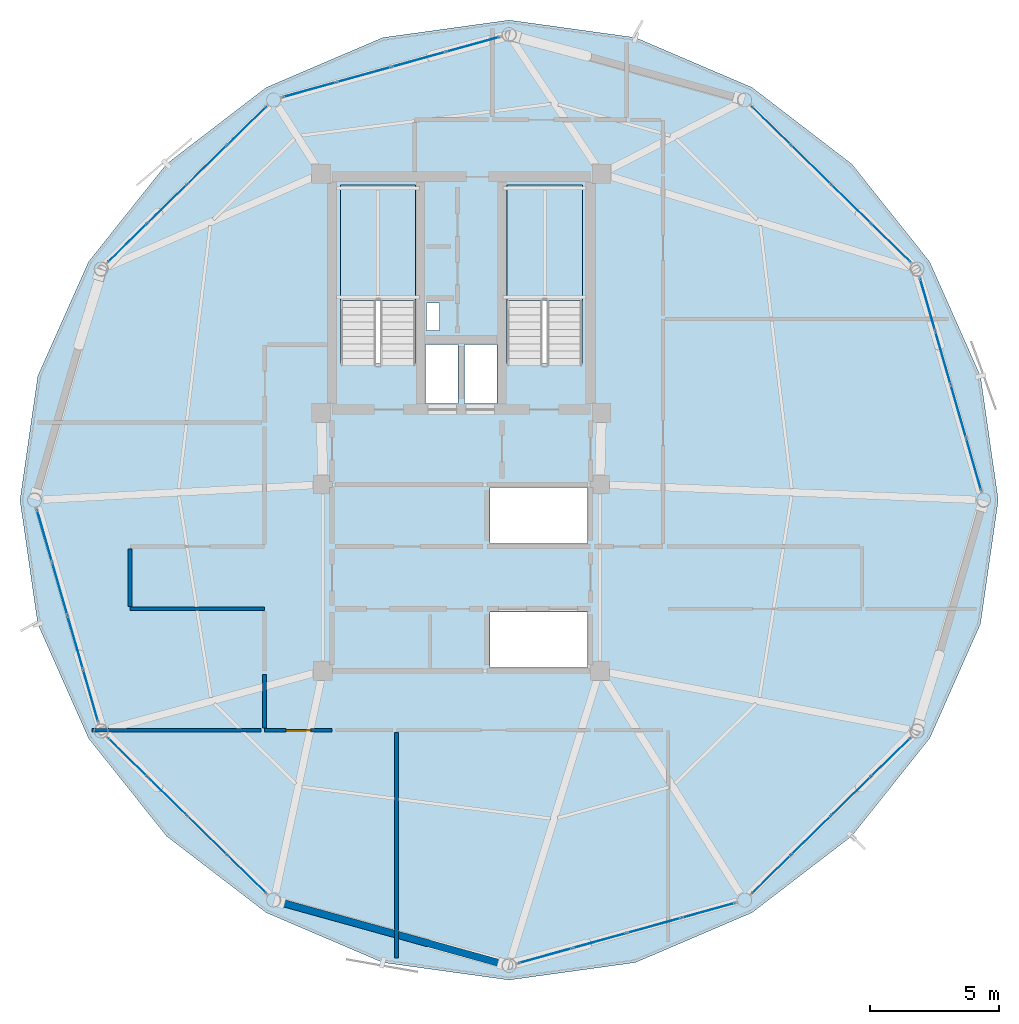
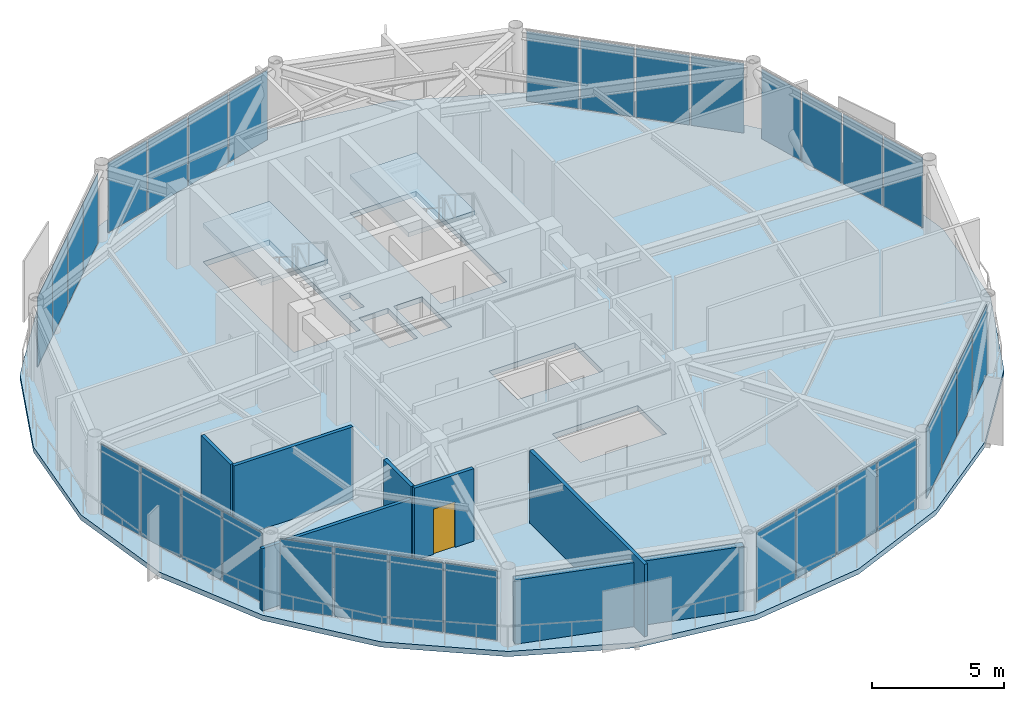
# One storey, part 20 of 26: 32 plates, 7 walls, 3 slabs, 1 door, 1 opening, 10 elements without a shape of their own.
"""IFC4 building model written with IfcOpenShell, lengths in metres."""

from ifc_helpers import new_model, si_unit, direction, frame, frame_2d, origin, origin_2d, place, context, subcontext, project, spatial, polyline, rectangle, outline, extrude, source, transform, mapped, material, layer, layer_set, type_object, type_shapes, element, fill, aggregate, save


model = new_model("IFC4")

# Units and contexts
model_context = context("Model", 3, precision=1e-05, world=origin(), true_north=direction((0.0, 1.0)))
body_context = subcontext(model_context, "Body", "Model", "MODEL_VIEW")
ifc_project = project(units=[si_unit("LENGTHUNIT", "METRE"), si_unit("AREAUNIT", "SQUARE_METRE"), si_unit("VOLUMEUNIT", "CUBIC_METRE"), si_unit("PLANEANGLEUNIT", "RADIAN"), si_unit("MASSUNIT", "GRAM", prefix="KILO")], contexts=[model_context])

# Site, building, storey
site_placement = place(None, origin())
site = spatial("IfcSite", under=ifc_project, at=site_placement, CompositionType="ELEMENT")
building_placement = place(site_placement, origin())
building = spatial("IfcBuilding", under=site, at=building_placement, Name="Varnakorn Sky Granary", CompositionType="ELEMENT")
storey_placement = place(building_placement, frame((0.0, 0.0, 256.199951171875)))
storey = spatial("IfcBuildingStorey", under=building, at=storey_placement, Name="L65", CompositionType="ELEMENT", Elevation=256.199951171875)

# Stair, slab
ifc_material_1 = material(Name="Concrete C40/50", Category="concrete")
stair_type = type_object("IfcStairType", Name="ST-MAIN-ASSEMBLY", PredefinedType="HALF_TURN_STAIR", material=ifc_material_1)
stair_1_placement = place(storey_placement, origin())
stair_1 = element("IfcStair", 1, at=stair_1_placement, inside=storey, type_object=stair_type, Name="L65 Protected Exit Stair ST-1", PredefinedType="HALF_TURN_STAIR")
ifc_layer_1 = layer(ifc_material_1, 0.199951171875, Name="Concrete C40/50")
ifc_layer_set_1 = layer_set([ifc_layer_1], Name="Concrete C40/50")
slab_type_1 = type_object("IfcSlabType", Name="ST-MAIN-LAND", PredefinedType="LANDING", material=ifc_layer_set_1)
slab_1_placement = place(storey_placement, frame((0.0, 0.0, 1.60009765625)))
slab_1 = element("IfcSlab", 2, at=slab_1_placement, type_object=slab_type_1, Name="ST-1 landing 1", PredefinedType="LANDING", context=body_context, shape_type="SweptSolid", body=[
    extrude(outline(polyline([(1.239990234375, 7.719970703125), (1.239990234375, 12.179931640625), (-1.669921875, 12.179931640625), (-1.669921875, 7.719970703125), (1.239990234375, 7.719970703125)])), origin(), (0.0, 0.0, 1.0), 0.199951171875),
])
aggregate(stair_1, [slab_1])

stair_2_placement = place(storey_placement, origin())
stair_2 = element("IfcStair", 3, at=stair_2_placement, inside=storey, type_object=stair_type, Name="L65 Protected Exit Stair ST-2", PredefinedType="HALF_TURN_STAIR")
slab_2_placement = place(storey_placement, frame((0.0, 0.0, 1.60009765625)))
slab_2 = element("IfcSlab", 4, at=slab_2_placement, type_object=slab_type_1, Name="ST-2 landing 1", PredefinedType="LANDING", context=body_context, shape_type="SweptSolid", body=[
    extrude(outline(polyline([(7.679931640625, 7.719970703125), (7.679931640625, 12.179931640625), (4.77001953125, 12.179931640625), (4.77001953125, 7.719970703125), (7.679931640625, 7.719970703125)])), origin(), (0.0, 0.0, 1.0), 0.199951171875),
])
aggregate(stair_2, [slab_2])

# Slab
ifc_material_2 = material(Name="Concrete C50/60", Category="concrete")
ifc_layer_2 = layer(ifc_material_2, 0.239990234375, Name="Concrete C50/60")
ifc_layer_set_2 = layer_set([ifc_layer_2], Name="Concrete C50/60")
slab_type_2 = type_object("IfcSlabType", Name="ST-SL-TWR-240", PredefinedType="FLOOR", material=ifc_layer_set_2)
slab_3_placement = place(storey_placement, frame((0.0, 0.0, -0.239990234375)))
element("IfcSlab", 5, at=slab_3_placement, inside=storey, type_object=slab_type_2, Name="Level L65 Structural Floor Slab", PredefinedType="FLOOR", context=body_context, shape_type="SweptSolid", body=[
    extrude(outline(polyline([(23.760009765625, 0.0), (23.072265625, 4.790771484375), (21.109619140625, 9.2099609375), (18.093994140625, 12.9931640625), (14.237548828125, 15.9521484375), (9.732666015625, 17.87939453125), (4.85009765625, 18.554931640625), (-0.03271484375, 17.87939453125), (-4.53759765625, 15.9521484375), (-8.39404296875, 12.9931640625), (-11.40966796875, 9.2099609375), (-13.372314453125, 4.790771484375), (-14.06005859375, 0.0), (-13.372314453125, -4.790771484375), (-11.40966796875, -9.2099609375), (-8.39404296875, -12.9931640625), (-4.53759765625, -15.9521484375), (-0.03271484375, -17.87939453125), (4.85009765625, -18.554931640625), (9.732666015625, -17.87939453125), (14.237548828125, -15.9521484375), (18.093994140625, -12.9931640625), (21.109619140625, -9.2099609375), (23.072265625, -4.790771484375), (23.760009765625, 0.0)]), holes=[polyline([(1.239990234375, 5.27490234375), (1.239990234375, 12.179931640625), (-1.669921875, 12.179931640625), (-1.669921875, 5.27490234375), (1.239990234375, 5.27490234375)]), polyline([(7.679931640625, 5.27490234375), (7.679931640625, 12.179931640625), (4.77001953125, 12.179931640625), (4.77001953125, 5.27490234375), (7.679931640625, 5.27490234375)]), polyline([(1.659912109375, 6.550048828125), (2.14990234375, 6.550048828125), (2.14990234375, 7.6201171875), (1.659912109375, 7.6201171875), (1.659912109375, 6.550048828125)]), polyline([(1.6201171875, 3.739990234375), (2.8798828125, 3.739990234375), (2.8798828125, 6.010009765625), (1.6201171875, 6.010009765625), (1.6201171875, 3.739990234375)]), polyline([(3.1201171875, 3.739990234375), (4.3798828125, 3.739990234375), (4.3798828125, 6.010009765625), (3.1201171875, 6.010009765625), (3.1201171875, 3.739990234375)]), polyline([(4.1201171875, -1.679931640625), (7.8798828125, -1.679931640625), (7.8798828125, 0.47998046875), (4.1201171875, 0.47998046875), (4.1201171875, -1.679931640625)]), polyline([(4.1201171875, -6.47998046875), (7.8798828125, -6.47998046875), (7.8798828125, -4.320068359375), (4.1201171875, -4.320068359375), (4.1201171875, -6.47998046875)])]), origin(), (0.0, 0.0, 1.0), 0.239990234375),
])

# Curtain wall, plates
ifc_material_3 = material(Name="Anodised Bronze Aluminium Alloy 6063-T6", Category="aluminium")
ifc_layer_3 = layer(ifc_material_3, 0.159912109375, Name="Anodised Bronze Aluminium Alloy 6063-T6")
ifc_layer_set_3 = layer_set([ifc_layer_3], Name="Anodised Bronze Aluminium Alloy 6063-T6")
curtain_wall_type = type_object("IfcCurtainWallType", Name="CW-OFF-1", PredefinedType="USERDEFINED", material=ifc_layer_set_3)
curtain_wall_1_placement = place(storey_placement, origin())
curtain_wall_1 = element("IfcCurtainWall", 6, at=curtain_wall_1_placement, inside=storey, type_object=curtain_wall_type, Name="Unitised Curtain Wall CW6 CW-L65-B01", ObjectType="CURTAIN WALL", PredefinedType="USERDEFINED")
ifc_material_4 = material(Name="Opaque Insulated Aluminium Shadow-Box Unit", Category="aluminium")
ifc_layer_4 = layer(ifc_material_4, 0.02392578125, Name="Opaque Insulated Aluminium Shadow-Box Unit")
ifc_layer_set_4 = layer_set([ifc_layer_4], Name="Opaque Insulated Aluminium Shadow-Box Unit")
plate_type = type_object("IfcPlateType", Name="CW-OFF-1-PNL", PredefinedType="CURTAIN_PANEL")
shared_shape_1 = source(origin(), body_context, "Body", "SweptSolid", [
    extrude(rectangle(XDim=2.0576171875, YDim=0.02392578125, at=origin_2d()), origin(), (0.0, 0.0, 1.0), 3.22998046875),
])
plate_1_placement = place(storey_placement, frame((21.030517578125, 7.557861328125, 0.06494140625), z_axis=(0.0, 0.0, 1.0), x_axis=(0.277084447334, -0.960845569821, 0.0)))
plate_1 = element("IfcPlate", 7, at=plate_1_placement, type_object=plate_type, material=ifc_layer_set_4, Name="CW6 opaque insulated shadow-box unit 1.1", PredefinedType="CURTAIN_PANEL", context=body_context, shape_type="MappedRepresentation", body=[
    mapped(shared_shape_1, transform((0.0, 0.0, 0.0), x_axis=(1.0, 0.0, 0.0), y_axis=(0.0, 1.0, 0.0), z_axis=(0.0, 0.0, 1.0), scale=1.0)),
])
ifc_material_5 = material(Name="Low-E Tinted Laminated Glass", Category="glass")
ifc_layer_5 = layer(ifc_material_5, 0.02392578125, Name="Low-E Tinted Laminated Glass")
ifc_layer_set_5 = layer_set([ifc_layer_5], Name="Low-E Tinted Laminated Glass")
plate_2_placement = place(storey_placement, frame((22.812744140625, 1.377197265625, 0.06494140625), z_axis=(0.0, 0.0, 1.0), x_axis=(0.277084447334, -0.960845569821, 0.0)))
plate_2 = element("IfcPlate", 8, at=plate_2_placement, type_object=plate_type, material=ifc_layer_set_5, Name="CW6 vision glazing unit 4.1", PredefinedType="CURTAIN_PANEL", context=body_context, shape_type="MappedRepresentation", body=[
    mapped(shared_shape_1, transform((0.0, 0.0, 0.0), x_axis=(1.0, 0.0, 0.0), y_axis=(0.0, 1.0, 0.0), z_axis=(0.0, 0.0, 1.0), scale=1.0)),
])

curtain_wall_2_placement = place(storey_placement, origin())
curtain_wall_2 = element("IfcCurtainWall", 9, at=curtain_wall_2_placement, inside=storey, type_object=curtain_wall_type, Name="Unitised Curtain Wall CW6 CW-L65-B07", ObjectType="CURTAIN WALL", PredefinedType="USERDEFINED")
plate_3_placement = place(storey_placement, frame((-11.33056640625, -7.557861328125, 0.06494140625), z_axis=(0.0, 0.0, 1.0), x_axis=(-0.277084447334, 0.960845569821, 0.0)))
plate_3 = element("IfcPlate", 10, at=plate_3_placement, type_object=plate_type, material=ifc_layer_set_4, Name="CW6 opaque insulated shadow-box unit 1.1", PredefinedType="CURTAIN_PANEL", context=body_context, shape_type="MappedRepresentation", body=[
    mapped(shared_shape_1, transform((0.0, 0.0, 0.0), x_axis=(1.0, 0.0, 0.0), y_axis=(0.0, 1.0, 0.0), z_axis=(0.0, 0.0, 1.0), scale=1.0)),
])
plate_4_placement = place(storey_placement, frame((-13.11279296875, -1.377197265625, 0.06494140625), z_axis=(0.0, 0.0, 1.0), x_axis=(-0.277084447334, 0.960845569821, 0.0)))
plate_4 = element("IfcPlate", 11, at=plate_4_placement, type_object=plate_type, material=ifc_layer_set_5, Name="CW6 vision glazing unit 4.1", PredefinedType="CURTAIN_PANEL", context=body_context, shape_type="MappedRepresentation", body=[
    mapped(shared_shape_1, transform((0.0, 0.0, 0.0), x_axis=(1.0, 0.0, 0.0), y_axis=(0.0, 1.0, 0.0), z_axis=(0.0, 0.0, 1.0), scale=1.0)),
])

# Plate
shared_shape_2 = source(origin(), body_context, "Body", "SweptSolid", [
    extrude(rectangle(XDim=2.090087890625, YDim=0.02392578125, at=origin_2d()), origin(), (0.0, 0.0, 1.0), 3.22998046875),
])
plate_5_placement = place(storey_placement, frame((21.623046875, 5.5029296875, 0.06494140625), z_axis=(0.0, 0.0, 1.0), x_axis=(0.277084447334, -0.960845569821, 0.0)))
plate_5 = element("IfcPlate", 12, at=plate_5_placement, type_object=plate_type, material=ifc_layer_set_4, Name="CW6 opaque insulated shadow-box unit 2.1", PredefinedType="CURTAIN_PANEL", context=body_context, shape_type="MappedRepresentation", body=[
    mapped(shared_shape_2, transform((0.0, 0.0, 0.0), x_axis=(1.0, 0.0, 0.0), y_axis=(0.0, 1.0, 0.0), z_axis=(0.0, 0.0, 1.0), scale=1.0)),
])

plate_6_placement = place(storey_placement, frame((22.22021484375, 3.43212890625, 0.06494140625), z_axis=(0.0, 0.0, 1.0), x_axis=(0.277084447334, -0.960845569821, 0.0)))
plate_6 = element("IfcPlate", 13, at=plate_6_placement, type_object=plate_type, material=ifc_layer_set_5, Name="CW6 vision glazing unit 3.1", PredefinedType="CURTAIN_PANEL", context=body_context, shape_type="MappedRepresentation", body=[
    mapped(shared_shape_2, transform((0.0, 0.0, 0.0), x_axis=(1.0, 0.0, 0.0), y_axis=(0.0, 1.0, 0.0), z_axis=(0.0, 0.0, 1.0), scale=1.0)),
])

aggregate(curtain_wall_1, [plate_1, plate_5, plate_6, plate_2])

plate_7_placement = place(storey_placement, frame((-11.923095703125, -5.5029296875, 0.06494140625), z_axis=(0.0, 0.0, 1.0), x_axis=(-0.277084447334, 0.960845569821, 0.0)))
plate_7 = element("IfcPlate", 14, at=plate_7_placement, type_object=plate_type, material=ifc_layer_set_4, Name="CW6 opaque insulated shadow-box unit 2.1", PredefinedType="CURTAIN_PANEL", context=body_context, shape_type="MappedRepresentation", body=[
    mapped(shared_shape_2, transform((0.0, 0.0, 0.0), x_axis=(1.0, 0.0, 0.0), y_axis=(0.0, 1.0, 0.0), z_axis=(0.0, 0.0, 1.0), scale=1.0)),
])

plate_8_placement = place(storey_placement, frame((-12.520263671875, -3.43212890625, 0.06494140625), z_axis=(0.0, 0.0, 1.0), x_axis=(-0.277084447334, 0.960845569821, 0.0)))
plate_8 = element("IfcPlate", 15, at=plate_8_placement, type_object=plate_type, material=ifc_layer_set_5, Name="CW6 vision glazing unit 3.1", PredefinedType="CURTAIN_PANEL", context=body_context, shape_type="MappedRepresentation", body=[
    mapped(shared_shape_2, transform((0.0, 0.0, 0.0), x_axis=(1.0, 0.0, 0.0), y_axis=(0.0, 1.0, 0.0), z_axis=(0.0, 0.0, 1.0), scale=1.0)),
])

aggregate(curtain_wall_2, [plate_3, plate_7, plate_8, plate_4])

# Curtain wall, plates
curtain_wall_3_placement = place(storey_placement, origin())
curtain_wall_3 = element("IfcCurtainWall", 16, at=curtain_wall_3_placement, inside=storey, type_object=curtain_wall_type, Name="Unitised Curtain Wall CW6 CW-L65-B02", ObjectType="CURTAIN WALL", PredefinedType="USERDEFINED")
shared_shape_3 = source(origin(), body_context, "Body", "SweptSolid", [
    extrude(rectangle(XDim=2.068359375, YDim=0.02392578125, at=origin_2d()), origin(), (0.0, 0.0, 1.0), 3.22998046875),
])
plate_9_placement = place(storey_placement, frame((14.98974609375, 14.46875, 0.06494140625), z_axis=(0.0, 0.0, 1.0), x_axis=(0.71402701557, -0.700118147913, 0.0)))
plate_9 = element("IfcPlate", 17, at=plate_9_placement, type_object=plate_type, material=ifc_layer_set_5, Name="CW6 vision glazing unit 1.1", PredefinedType="CURTAIN_PANEL", context=body_context, shape_type="MappedRepresentation", body=[
    mapped(shared_shape_3, transform((0.0, 0.0, 0.0), x_axis=(1.0, 0.0, 0.0), y_axis=(0.0, 1.0, 0.0), z_axis=(0.0, 0.0, 1.0), scale=1.0)),
])
plate_10_placement = place(storey_placement, frame((19.60595703125, 9.9423828125, 0.06494140625), z_axis=(0.0, 0.0, 1.0), x_axis=(0.71402701557, -0.700118147913, 0.0)))
plate_10 = element("IfcPlate", 18, at=plate_10_placement, type_object=plate_type, material=ifc_layer_set_4, Name="CW6 opaque insulated shadow-box unit 4.1", PredefinedType="CURTAIN_PANEL", context=body_context, shape_type="MappedRepresentation", body=[
    mapped(shared_shape_3, transform((0.0, 0.0, 0.0), x_axis=(1.0, 0.0, 0.0), y_axis=(0.0, 1.0, 0.0), z_axis=(0.0, 0.0, 1.0), scale=1.0)),
])

curtain_wall_4_placement = place(storey_placement, origin())
curtain_wall_4 = element("IfcCurtainWall", 19, at=curtain_wall_4_placement, inside=storey, type_object=curtain_wall_type, Name="Unitised Curtain Wall CW6 CW-L65-B05", ObjectType="CURTAIN WALL", PredefinedType="USERDEFINED")
plate_11_placement = place(storey_placement, frame((-9.906005859375, 9.9423828125, 0.06494140625), z_axis=(0.0, 0.0, 1.0), x_axis=(0.71402701557, 0.700118147913, 0.0)))
plate_11 = element("IfcPlate", 20, at=plate_11_placement, type_object=plate_type, material=ifc_layer_set_4, Name="CW6 opaque insulated shadow-box unit 1.1", PredefinedType="CURTAIN_PANEL", context=body_context, shape_type="MappedRepresentation", body=[
    mapped(shared_shape_3, transform((0.0, 0.0, 0.0), x_axis=(1.0, 0.0, 0.0), y_axis=(0.0, 1.0, 0.0), z_axis=(0.0, 0.0, 1.0), scale=1.0)),
])
plate_12_placement = place(storey_placement, frame((-5.289794921875, 14.46875, 0.06494140625), z_axis=(0.0, 0.0, 1.0), x_axis=(0.71402701557, 0.700118147913, 0.0)))
plate_12 = element("IfcPlate", 21, at=plate_12_placement, type_object=plate_type, material=ifc_layer_set_5, Name="CW6 vision glazing unit 4.1", PredefinedType="CURTAIN_PANEL", context=body_context, shape_type="MappedRepresentation", body=[
    mapped(shared_shape_3, transform((0.0, 0.0, 0.0), x_axis=(1.0, 0.0, 0.0), y_axis=(0.0, 1.0, 0.0), z_axis=(0.0, 0.0, 1.0), scale=1.0)),
])

curtain_wall_5_placement = place(storey_placement, origin())
curtain_wall_5 = element("IfcCurtainWall", 22, at=curtain_wall_5_placement, inside=storey, type_object=curtain_wall_type, Name="Unitised Curtain Wall CW6 CW-L65-B08", ObjectType="CURTAIN WALL", PredefinedType="USERDEFINED")
plate_13_placement = place(storey_placement, frame((-5.289794921875, -14.46875, 0.06494140625), z_axis=(0.0, 0.0, 1.0), x_axis=(-0.71402701557, 0.700118147913, 0.0)))
plate_13 = element("IfcPlate", 23, at=plate_13_placement, type_object=plate_type, material=ifc_layer_set_5, Name="CW6 vision glazing unit 1.1", PredefinedType="CURTAIN_PANEL", context=body_context, shape_type="MappedRepresentation", body=[
    mapped(shared_shape_3, transform((0.0, 0.0, 0.0), x_axis=(1.0, 0.0, 0.0), y_axis=(0.0, 1.0, 0.0), z_axis=(0.0, 0.0, 1.0), scale=1.0)),
])
plate_14_placement = place(storey_placement, frame((-9.906005859375, -9.9423828125, 0.06494140625), z_axis=(0.0, 0.0, 1.0), x_axis=(-0.71402701557, 0.700118147913, 0.0)))
plate_14 = element("IfcPlate", 24, at=plate_14_placement, type_object=plate_type, material=ifc_layer_set_4, Name="CW6 opaque insulated shadow-box unit 4.1", PredefinedType="CURTAIN_PANEL", context=body_context, shape_type="MappedRepresentation", body=[
    mapped(shared_shape_3, transform((0.0, 0.0, 0.0), x_axis=(1.0, 0.0, 0.0), y_axis=(0.0, 1.0, 0.0), z_axis=(0.0, 0.0, 1.0), scale=1.0)),
])

curtain_wall_6_placement = place(storey_placement, origin())
curtain_wall_6 = element("IfcCurtainWall", 25, at=curtain_wall_6_placement, inside=storey, type_object=curtain_wall_type, Name="Unitised Curtain Wall CW6 CW-L65-B11", ObjectType="CURTAIN WALL", PredefinedType="USERDEFINED")
plate_15_placement = place(storey_placement, frame((19.60595703125, -9.9423828125, 0.06494140625), z_axis=(0.0, 0.0, 1.0), x_axis=(-0.71402701557, -0.700118147913, 0.0)))
plate_15 = element("IfcPlate", 26, at=plate_15_placement, type_object=plate_type, material=ifc_layer_set_4, Name="CW6 opaque insulated shadow-box unit 1.1", PredefinedType="CURTAIN_PANEL", context=body_context, shape_type="MappedRepresentation", body=[
    mapped(shared_shape_3, transform((0.0, 0.0, 0.0), x_axis=(1.0, 0.0, 0.0), y_axis=(0.0, 1.0, 0.0), z_axis=(0.0, 0.0, 1.0), scale=1.0)),
])
plate_16_placement = place(storey_placement, frame((14.98974609375, -14.46875, 0.06494140625), z_axis=(0.0, 0.0, 1.0), x_axis=(-0.71402701557, -0.700118147913, 0.0)))
plate_16 = element("IfcPlate", 27, at=plate_16_placement, type_object=plate_type, material=ifc_layer_set_5, Name="CW6 vision glazing unit 4.1", PredefinedType="CURTAIN_PANEL", context=body_context, shape_type="MappedRepresentation", body=[
    mapped(shared_shape_3, transform((0.0, 0.0, 0.0), x_axis=(1.0, 0.0, 0.0), y_axis=(0.0, 1.0, 0.0), z_axis=(0.0, 0.0, 1.0), scale=1.0)),
])

# Plate
shared_shape_4 = source(origin(), body_context, "Body", "SweptSolid", [
    extrude(rectangle(XDim=2.100830078125, YDim=0.02392578125, at=origin_2d()), origin(), (0.0, 0.0, 1.0), 3.22998046875),
])
plate_17_placement = place(storey_placement, frame((16.524658203125, 12.963623046875, 0.06494140625), z_axis=(0.0, 0.0, 1.0), x_axis=(0.71402701557, -0.700118147913, 0.0)))
plate_17 = element("IfcPlate", 28, at=plate_17_placement, type_object=plate_type, material=ifc_layer_set_5, Name="CW6 vision glazing unit 2.1", PredefinedType="CURTAIN_PANEL", context=body_context, shape_type="MappedRepresentation", body=[
    mapped(shared_shape_4, transform((0.0, 0.0, 0.0), x_axis=(1.0, 0.0, 0.0), y_axis=(0.0, 1.0, 0.0), z_axis=(0.0, 0.0, 1.0), scale=1.0)),
])

plate_18_placement = place(storey_placement, frame((18.071044921875, 11.447265625, 0.06494140625), z_axis=(0.0, 0.0, 1.0), x_axis=(0.71402701557, -0.700118147913, 0.0)))
plate_18 = element("IfcPlate", 29, at=plate_18_placement, type_object=plate_type, material=ifc_layer_set_4, Name="CW6 opaque insulated shadow-box unit 3.1", PredefinedType="CURTAIN_PANEL", context=body_context, shape_type="MappedRepresentation", body=[
    mapped(shared_shape_4, transform((0.0, 0.0, 0.0), x_axis=(1.0, 0.0, 0.0), y_axis=(0.0, 1.0, 0.0), z_axis=(0.0, 0.0, 1.0), scale=1.0)),
])

aggregate(curtain_wall_3, [plate_9, plate_17, plate_18, plate_10])

plate_19_placement = place(storey_placement, frame((-8.37109375, 11.447265625, 0.06494140625), z_axis=(0.0, 0.0, 1.0), x_axis=(0.71402701557, 0.700118147913, 0.0)))
plate_19 = element("IfcPlate", 30, at=plate_19_placement, type_object=plate_type, material=ifc_layer_set_4, Name="CW6 opaque insulated shadow-box unit 2.1", PredefinedType="CURTAIN_PANEL", context=body_context, shape_type="MappedRepresentation", body=[
    mapped(shared_shape_4, transform((0.0, 0.0, 0.0), x_axis=(1.0, 0.0, 0.0), y_axis=(0.0, 1.0, 0.0), z_axis=(0.0, 0.0, 1.0), scale=1.0)),
])

plate_20_placement = place(storey_placement, frame((-6.82470703125, 12.963623046875, 0.06494140625), z_axis=(0.0, 0.0, 1.0), x_axis=(0.71402701557, 0.700118147913, 0.0)))
plate_20 = element("IfcPlate", 31, at=plate_20_placement, type_object=plate_type, material=ifc_layer_set_5, Name="CW6 vision glazing unit 3.1", PredefinedType="CURTAIN_PANEL", context=body_context, shape_type="MappedRepresentation", body=[
    mapped(shared_shape_4, transform((0.0, 0.0, 0.0), x_axis=(1.0, 0.0, 0.0), y_axis=(0.0, 1.0, 0.0), z_axis=(0.0, 0.0, 1.0), scale=1.0)),
])

aggregate(curtain_wall_4, [plate_11, plate_19, plate_20, plate_12])

plate_21_placement = place(storey_placement, frame((-6.82470703125, -12.963623046875, 0.06494140625), z_axis=(0.0, 0.0, 1.0), x_axis=(-0.71402701557, 0.700118147913, 0.0)))
plate_21 = element("IfcPlate", 32, at=plate_21_placement, type_object=plate_type, material=ifc_layer_set_5, Name="CW6 vision glazing unit 2.1", PredefinedType="CURTAIN_PANEL", context=body_context, shape_type="MappedRepresentation", body=[
    mapped(shared_shape_4, transform((0.0, 0.0, 0.0), x_axis=(1.0, 0.0, 0.0), y_axis=(0.0, 1.0, 0.0), z_axis=(0.0, 0.0, 1.0), scale=1.0)),
])

plate_22_placement = place(storey_placement, frame((-8.37109375, -11.447265625, 0.06494140625), z_axis=(0.0, 0.0, 1.0), x_axis=(-0.71402701557, 0.700118147913, 0.0)))
plate_22 = element("IfcPlate", 33, at=plate_22_placement, type_object=plate_type, material=ifc_layer_set_4, Name="CW6 opaque insulated shadow-box unit 3.1", PredefinedType="CURTAIN_PANEL", context=body_context, shape_type="MappedRepresentation", body=[
    mapped(shared_shape_4, transform((0.0, 0.0, 0.0), x_axis=(1.0, 0.0, 0.0), y_axis=(0.0, 1.0, 0.0), z_axis=(0.0, 0.0, 1.0), scale=1.0)),
])

aggregate(curtain_wall_5, [plate_13, plate_21, plate_22, plate_14])

plate_23_placement = place(storey_placement, frame((18.071044921875, -11.447265625, 0.06494140625), z_axis=(0.0, 0.0, 1.0), x_axis=(-0.71402701557, -0.700118147913, 0.0)))
plate_23 = element("IfcPlate", 34, at=plate_23_placement, type_object=plate_type, material=ifc_layer_set_4, Name="CW6 opaque insulated shadow-box unit 2.1", PredefinedType="CURTAIN_PANEL", context=body_context, shape_type="MappedRepresentation", body=[
    mapped(shared_shape_4, transform((0.0, 0.0, 0.0), x_axis=(1.0, 0.0, 0.0), y_axis=(0.0, 1.0, 0.0), z_axis=(0.0, 0.0, 1.0), scale=1.0)),
])

plate_24_placement = place(storey_placement, frame((16.524658203125, -12.963623046875, 0.06494140625), z_axis=(0.0, 0.0, 1.0), x_axis=(-0.71402701557, -0.700118147913, 0.0)))
plate_24 = element("IfcPlate", 35, at=plate_24_placement, type_object=plate_type, material=ifc_layer_set_5, Name="CW6 vision glazing unit 3.1", PredefinedType="CURTAIN_PANEL", context=body_context, shape_type="MappedRepresentation", body=[
    mapped(shared_shape_4, transform((0.0, 0.0, 0.0), x_axis=(1.0, 0.0, 0.0), y_axis=(0.0, 1.0, 0.0), z_axis=(0.0, 0.0, 1.0), scale=1.0)),
])

aggregate(curtain_wall_6, [plate_15, plate_23, plate_24, plate_16])

# Curtain wall, plates
curtain_wall_7_placement = place(storey_placement, origin())
curtain_wall_7 = element("IfcCurtainWall", 36, at=curtain_wall_7_placement, inside=storey, type_object=curtain_wall_type, Name="Unitised Curtain Wall CW6 CW-L65-B04", ObjectType="CURTAIN WALL", PredefinedType="USERDEFINED")
shared_shape_5 = source(origin(), body_context, "Body", "SweptSolid", [
    extrude(rectangle(XDim=2.096923828125, YDim=0.02392578125, at=origin_2d()), origin(), (0.0, 0.0, 1.0), 3.22998046875),
])
plate_25_placement = place(storey_placement, frame((-2.862548828125, 15.864501953125, 0.06494140625), z_axis=(0.0, 0.0, 1.0), x_axis=(0.963577457598, 0.26742939855, 0.0)))
plate_25 = element("IfcPlate", 37, at=plate_25_placement, type_object=plate_type, material=ifc_layer_set_5, Name="CW6 vision glazing unit 1.1", PredefinedType="CURTAIN_PANEL", context=body_context, shape_type="MappedRepresentation", body=[
    mapped(shared_shape_5, transform((0.0, 0.0, 0.0), x_axis=(1.0, 0.0, 0.0), y_axis=(0.0, 1.0, 0.0), z_axis=(0.0, 0.0, 1.0), scale=1.0)),
])
plate_26_placement = place(storey_placement, frame((3.449951171875, 17.616455078125, 0.06494140625), z_axis=(0.0, 0.0, 1.0), x_axis=(0.963577457598, 0.26742939855, 0.0)))
plate_26 = element("IfcPlate", 38, at=plate_26_placement, type_object=plate_type, material=ifc_layer_set_4, Name="CW6 opaque insulated shadow-box unit 4.1", PredefinedType="CURTAIN_PANEL", context=body_context, shape_type="MappedRepresentation", body=[
    mapped(shared_shape_5, transform((0.0, 0.0, 0.0), x_axis=(1.0, 0.0, 0.0), y_axis=(0.0, 1.0, 0.0), z_axis=(0.0, 0.0, 1.0), scale=1.0)),
])

curtain_wall_8_placement = place(storey_placement, origin())
curtain_wall_8 = element("IfcCurtainWall", 39, at=curtain_wall_8_placement, inside=storey, type_object=curtain_wall_type, Name="Unitised Curtain Wall CW6 CW-L65-B10", ObjectType="CURTAIN WALL", PredefinedType="USERDEFINED")
plate_27_placement = place(storey_placement, frame((12.5625, -15.864501953125, 0.06494140625), z_axis=(0.0, 0.0, 1.0), x_axis=(-0.963577457598, -0.26742939855, 0.0)))
plate_27 = element("IfcPlate", 40, at=plate_27_placement, type_object=plate_type, material=ifc_layer_set_5, Name="CW6 vision glazing unit 1.1", PredefinedType="CURTAIN_PANEL", context=body_context, shape_type="MappedRepresentation", body=[
    mapped(shared_shape_5, transform((0.0, 0.0, 0.0), x_axis=(1.0, 0.0, 0.0), y_axis=(0.0, 1.0, 0.0), z_axis=(0.0, 0.0, 1.0), scale=1.0)),
])
plate_28_placement = place(storey_placement, frame((6.25, -17.616455078125, 0.06494140625), z_axis=(0.0, 0.0, 1.0), x_axis=(-0.963577457598, -0.26742939855, 0.0)))
plate_28 = element("IfcPlate", 41, at=plate_28_placement, type_object=plate_type, material=ifc_layer_set_4, Name="CW6 opaque insulated shadow-box unit 4.1", PredefinedType="CURTAIN_PANEL", context=body_context, shape_type="MappedRepresentation", body=[
    mapped(shared_shape_5, transform((0.0, 0.0, 0.0), x_axis=(1.0, 0.0, 0.0), y_axis=(0.0, 1.0, 0.0), z_axis=(0.0, 0.0, 1.0), scale=1.0)),
])

# Plate
shared_shape_6 = source(origin(), body_context, "Body", "SweptSolid", [
    extrude(rectangle(XDim=2.12939453125, YDim=0.02392578125, at=origin_2d()), origin(), (0.0, 0.0, 1.0), 3.22998046875),
])
type_shapes(plate_type, [shared_shape_1, shared_shape_2, shared_shape_3, shared_shape_4, shared_shape_5, shared_shape_6])
plate_29_placement = place(storey_placement, frame((-0.763427734375, 16.447021484375, 0.06494140625), z_axis=(0.0, 0.0, 1.0), x_axis=(0.963577457598, 0.26742939855, 0.0)))
plate_29 = element("IfcPlate", 42, at=plate_29_placement, type_object=plate_type, material=ifc_layer_set_5, Name="CW6 vision glazing unit 2.1", PredefinedType="CURTAIN_PANEL", context=body_context, shape_type="MappedRepresentation", body=[
    mapped(shared_shape_6, transform((0.0, 0.0, 0.0), x_axis=(1.0, 0.0, 0.0), y_axis=(0.0, 1.0, 0.0), z_axis=(0.0, 0.0, 1.0), scale=1.0)),
])

plate_30_placement = place(storey_placement, frame((1.35107421875, 17.033935546875, 0.06494140625), z_axis=(0.0, 0.0, 1.0), x_axis=(0.963577457598, 0.26742939855, 0.0)))
plate_30 = element("IfcPlate", 43, at=plate_30_placement, type_object=plate_type, material=ifc_layer_set_4, Name="CW6 opaque insulated shadow-box unit 3.1", PredefinedType="CURTAIN_PANEL", context=body_context, shape_type="MappedRepresentation", body=[
    mapped(shared_shape_6, transform((0.0, 0.0, 0.0), x_axis=(1.0, 0.0, 0.0), y_axis=(0.0, 1.0, 0.0), z_axis=(0.0, 0.0, 1.0), scale=1.0)),
])

aggregate(curtain_wall_7, [plate_25, plate_29, plate_30, plate_26])

plate_31_placement = place(storey_placement, frame((10.463623046875, -16.447021484375, 0.06494140625), z_axis=(0.0, 0.0, 1.0), x_axis=(-0.963577457598, -0.26742939855, 0.0)))
plate_31 = element("IfcPlate", 44, at=plate_31_placement, type_object=plate_type, material=ifc_layer_set_5, Name="CW6 vision glazing unit 2.1", PredefinedType="CURTAIN_PANEL", context=body_context, shape_type="MappedRepresentation", body=[
    mapped(shared_shape_6, transform((0.0, 0.0, 0.0), x_axis=(1.0, 0.0, 0.0), y_axis=(0.0, 1.0, 0.0), z_axis=(0.0, 0.0, 1.0), scale=1.0)),
])

plate_32_placement = place(storey_placement, frame((8.348876953125, -17.033935546875, 0.06494140625), z_axis=(0.0, 0.0, 1.0), x_axis=(-0.963577457598, -0.26742939855, 0.0)))
plate_32 = element("IfcPlate", 45, at=plate_32_placement, type_object=plate_type, material=ifc_layer_set_4, Name="CW6 opaque insulated shadow-box unit 3.1", PredefinedType="CURTAIN_PANEL", context=body_context, shape_type="MappedRepresentation", body=[
    mapped(shared_shape_6, transform((0.0, 0.0, 0.0), x_axis=(1.0, 0.0, 0.0), y_axis=(0.0, 1.0, 0.0), z_axis=(0.0, 0.0, 1.0), scale=1.0)),
])

aggregate(curtain_wall_8, [plate_27, plate_31, plate_32, plate_28])

# Wall
ifc_material_6 = material(Name="Precast concrete C40/50", Category="concrete")
ifc_layer_6 = layer(ifc_material_6, 0.280029296875, Name="Precast concrete C40/50")
ifc_layer_set_6 = layer_set([ifc_layer_6], Name="Precast concrete C40/50")
wall_type_1 = type_object("IfcWallType", Name="WT-EW-CRN-280", PredefinedType="SOLIDWALL", material=ifc_layer_set_6)
wall_1_placement = place(storey_placement, frame((4.6240234375, -17.9423828125, 0.0), z_axis=(0.0, 0.0, 1.0), x_axis=(-0.963573148657, 0.267444923653, 0.0)))
element("IfcWall", 46, at=wall_1_placement, inside=storey, type_object=wall_type_1, Name="Agritech Insulated Precast Facade Wall L65-P09", PredefinedType="SOLIDWALL", context=body_context, shape_type="SweptSolid", body=[
    extrude(rectangle(XDim=8.988037109375, YDim=0.280029296875, at=frame_2d((4.494140625, 0.0))), origin(), (0.0, 0.0, 1.0), 2.969970703125),
])

# Wall, opening, door
ifc_material_7 = material(Name="Gypsum Plasterboard on Steel Stud", Category="steel")
ifc_layer_7 = layer(ifc_material_7, 0.14990234375, Name="Gypsum Plasterboard on Steel Stud")
ifc_layer_set_7 = layer_set([ifc_layer_7], Name="Gypsum Plasterboard on Steel Stud")
wall_type_2 = type_object("IfcWallType", Name="WT-PART-150", PredefinedType="PARTITIONING", material=ifc_layer_set_7)
wall_2_placement = place(storey_placement, frame((-4.60009765625, -8.89990234375, 0.0), z_axis=(0.0, 0.0, 1.0), x_axis=(1.0, 0.0, 0.0)))
wall_2 = element("IfcWall", 47, at=wall_2_placement, inside=storey, type_object=wall_type_2, Name="Interior Partition Wall L65-021", PredefinedType="PARTITIONING", context=body_context, shape_type="SweptSolid", body=[
    extrude(rectangle(XDim=2.60009765625, YDim=0.14990234375, at=frame_2d((1.300048828125, 0.0))), origin(), (0.0, 0.0, 1.0), 3.360107421875),
])
opening_placement = place(wall_2_placement, frame((0.824951171875, 0.0, 0.0)))
opening = element("IfcOpeningElement", 48, at=opening_placement, cuts=wall_2, Name="Opening ID-95", PredefinedType="OPENING", context=body_context, shape_type="SweptSolid", body=[
    extrude(rectangle(XDim=0.949951171875, YDim=2.10009765625, at=frame_2d((0.47509765625, 1.050048828125))), frame((0.0, 0.0849609375, 0.0), z_axis=(0.0, -1.0, 0.0), x_axis=(1.0, 0.0, 0.0)), (0.0, 0.0, 1.0), 0.169921875),
])
ifc_material_8 = material(Name="Solid-Core Teak Veneer Leaf", Category="timber")
door_type = type_object("IfcDoorType", Name="DR-INT-950", OperationType="NOTDEFINED", PredefinedType="DOOR", material=ifc_material_8)
door_placement = place(opening_placement, origin())
door = element("IfcDoor", 49, at=door_placement, inside=storey, type_object=door_type, Name="Interior Door L65-021-1", OperationType="SINGLE_SWING_LEFT", OverallHeight=2.10009765625, OverallWidth=0.949951171875, PredefinedType="DOOR", context=body_context, shape_type="SweptSolid", body=[
    extrude(rectangle(XDim=0.949951171875, YDim=2.10009765625, at=frame_2d((0.47509765625, 1.050048828125))), frame((0.0, 0.02490234375, 0.0), z_axis=(0.0, -1.0, 0.0), x_axis=(1.0, 0.0, 0.0)), (0.0, 0.0, 1.0), 0.050048828125),
])
fill(opening, door)

# Walls
wall_3_placement = place(storey_placement, frame((0.5, -8.985107421875, 0.0), z_axis=(0.0, 0.0, 1.0), x_axis=(0.0, -1.0, 0.0)))
element("IfcWall", 50, at=wall_3_placement, inside=storey, type_object=wall_type_2, Name="Interior Partition Wall L65-036", PredefinedType="PARTITIONING", context=body_context, shape_type="SweptSolid", body=[
    extrude(rectangle(XDim=8.727783203125, YDim=0.14990234375, at=frame_2d((4.36376953125, 0.0))), origin(), (0.0, 0.0, 1.0), 3.360107421875),
])
wall_4_placement = place(storey_placement, frame((-11.285888671875, -8.89990234375, 0.0), z_axis=(0.0, 0.0, 1.0), x_axis=(1.0, 0.0, 0.0)))
element("IfcWall", 51, at=wall_4_placement, inside=storey, type_object=wall_type_2, Name="Interior Partition Wall L65-037", PredefinedType="PARTITIONING", context=body_context, shape_type="SweptSolid", body=[
    extrude(rectangle(XDim=6.55078125, YDim=0.14990234375, at=frame_2d((3.275390625, 0.0))), origin(), (0.0, 0.0, 1.0), 2.89208984375),
])
wall_5_placement = place(storey_placement, frame((-9.800048828125, -4.199951171875, 0.0), z_axis=(0.0, 0.0, 1.0), x_axis=(1.0, 0.0, 0.0)))
element("IfcWall", 52, at=wall_5_placement, inside=storey, type_object=wall_type_2, Name="Interior Partition Wall L65-041", PredefinedType="PARTITIONING", context=body_context, shape_type="SweptSolid", body=[
    extrude(rectangle(XDim=5.199951171875, YDim=0.14990234375, at=frame_2d((2.60009765625, 0.0))), origin(), (0.0, 0.0, 1.0), 3.360107421875),
])
wall_6_placement = place(storey_placement, frame((-9.800048828125, -1.885009765625, 0.0), z_axis=(0.0, 0.0, 1.0), x_axis=(0.0, -1.0, 0.0)))
element("IfcWall", 53, at=wall_6_placement, inside=storey, type_object=wall_type_2, Name="Interior Partition Wall L65-043", PredefinedType="PARTITIONING", context=body_context, shape_type="SweptSolid", body=[
    extrude(rectangle(XDim=2.22998046875, YDim=0.14990234375, at=frame_2d((1.114990234375, 0.0))), origin(), (0.0, 0.0, 1.0), 3.360107421875),
])
wall_7_placement = place(storey_placement, frame((-4.60009765625, -6.735107421875, 0.0), z_axis=(0.0, 0.0, 1.0), x_axis=(0.0, -1.0, 0.0)))
element("IfcWall", 54, at=wall_7_placement, inside=storey, type_object=wall_type_2, Name="Interior Partition Wall L65-045", PredefinedType="PARTITIONING", context=body_context, shape_type="SweptSolid", body=[
    extrude(rectangle(XDim=2.079833984375, YDim=0.14990234375, at=frame_2d((1.0400390625, 0.0))), origin(), (0.0, 0.0, 1.0), 3.360107421875),
])

save(model, "model.ifc")
